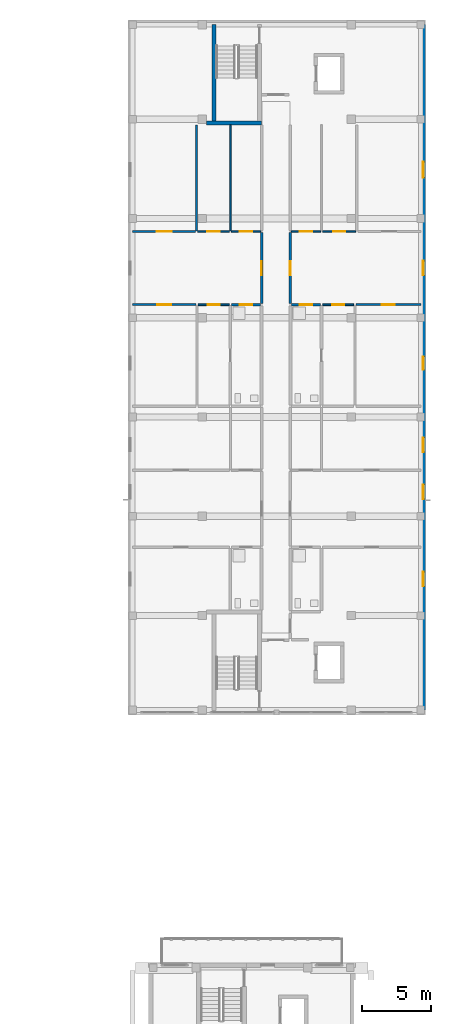
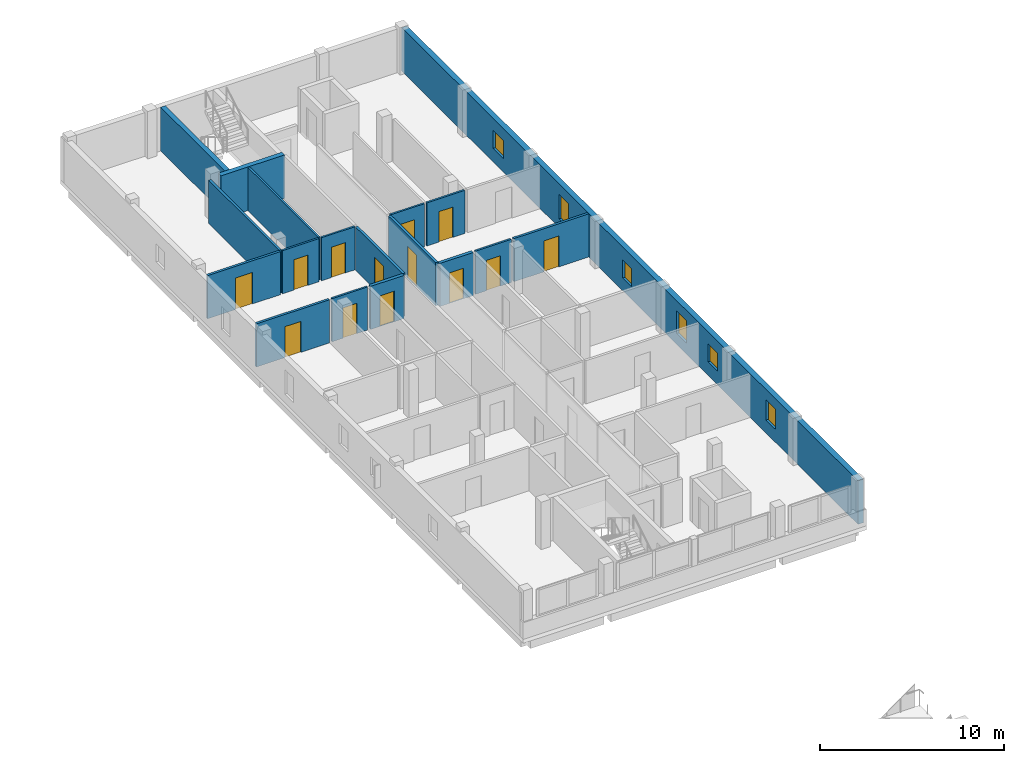
# One storey, part 23 of 38: 18 walls, 13 doors, 6 windows, 19 openings.
"""IFC4 building model written with IfcOpenShell, lengths in metres."""

from ifc_helpers import new_model, si_unit, derived_unit, direction, frame, frame_2d, origin, place, context, subcontext, project, spatial, rectangle, extrude, material, layer, layer_set, type_object, element, fill, save


model = new_model("IFC4")

# Units and contexts
model_context = context("Model", 3, precision=1e-05, world=origin(), true_north=direction((0.0, 1.0)))
body_context = subcontext(model_context, "Body", "Model", "MODEL_VIEW")
ifc_project = project(units=[si_unit("LENGTHUNIT", "METRE"), si_unit("AREAUNIT", "SQUARE_METRE"), si_unit("VOLUMEUNIT", "CUBIC_METRE"), si_unit("PLANEANGLEUNIT", "RADIAN"), si_unit("MASSUNIT", "GRAM", prefix="KILO"), derived_unit("THERMALTRANSMITTANCEUNIT", [(si_unit("MASSUNIT", "GRAM", prefix="KILO"), 1), (si_unit("TIMEUNIT", "SECOND"), -3), (si_unit("THERMODYNAMICTEMPERATUREUNIT", "KELVIN"), -1)])], contexts=[model_context])

# Site, building, storey
site_placement = place(None, origin())
site = spatial("IfcSite", under=ifc_project, at=site_placement, CompositionType="ELEMENT")
building_placement = place(site_placement, origin())
building = spatial("IfcBuilding", under=site, at=building_placement, Name="Ochrekiln Boulevard Commons", CompositionType="ELEMENT")
storey_placement = place(building_placement, frame((0.0, 0.0, 24.675048828125)))
storey = spatial("IfcBuildingStorey", under=building, at=storey_placement, Name="L07", CompositionType="ELEMENT", Elevation=24.675048828125)

# Wall, openings, windows
ifc_material_1 = material(Name="Iron-spot brown clinker brick masonry ASTM C216 Grade SW", Category="masonry")
ifc_layer_1 = layer(ifc_material_1, 0.340087890625)
ifc_layer_set_1 = layer_set([ifc_layer_1], Name="Iron-spot brown clinker brick masonry ASTM C216 Grade SW")
wall_type_1 = type_object("IfcWallType", Name="WL-EXT-IRON-340", PredefinedType="SOLIDWALL", material=ifc_layer_set_1)
wall_1_placement = place(storey_placement, frame((172.6298828125, 68.739990234375, 0.0), z_axis=(0.0, 0.0, 1.0), x_axis=(0.0, 1.0, 0.0)))
wall_1 = element("IfcWall", 1, at=wall_1_placement, inside=storey, type_object=wall_type_1, Name="Block B L07 E Exterior Wall", PredefinedType="SOLIDWALL", context=body_context, shape_type="SweptSolid", body=[
    extrude(rectangle(XDim=49.719970703125, YDim=0.340087890625, at=frame_2d((24.85986328125, 0.0))), origin(), (0.0, 0.0, 1.0), 2.89990234375),
])
opening_1_placement = place(wall_1_placement, frame((15.299072265625, 0.0, 0.89990234375)))
opening_1 = element("IfcOpeningElement", 2, at=opening_1_placement, cuts=wall_1, Name="Opening W-06", PredefinedType="OPENING", context=body_context, shape_type="SweptSolid", body=[
    extrude(rectangle(XDim=1.050048828125, YDim=1.199951171875, at=frame_2d((0.52490234375, 0.60009765625))), frame((0.0, 0.179931640625, 0.0), z_axis=(0.0, -1.0, 0.0), x_axis=(1.0, 0.0, 0.0)), (0.0, 0.0, 1.0), 0.360107421875),
])
opening_2_placement = place(wall_1_placement, frame((8.971923828125, 0.0, 0.864990234375)))
opening_2 = element("IfcOpeningElement", 3, at=opening_2_placement, cuts=wall_1, Name="Opening W-07", PredefinedType="OPENING", context=body_context, shape_type="SweptSolid", body=[
    extrude(rectangle(XDim=1.050048828125, YDim=1.35009765625, at=frame_2d((0.52490234375, 0.675048828125))), frame((0.0, 0.179931640625, 0.0), z_axis=(0.0, -1.0, 0.0), x_axis=(1.0, 0.0, 0.0)), (0.0, 0.0, 1.0), 0.360107421875),
])
opening_3_placement = place(wall_1_placement, frame((18.7099609375, 0.0, 0.715087890625)))
opening_3 = element("IfcOpeningElement", 4, at=opening_3_placement, cuts=wall_1, Name="Opening W-08", PredefinedType="OPENING", context=body_context, shape_type="SweptSolid", body=[
    extrude(rectangle(XDim=1.050048828125, YDim=1.5, at=frame_2d((0.52490234375, 0.75))), frame((0.0, 0.179931640625, 0.0), z_axis=(0.0, -1.0, 0.0), x_axis=(1.0, 0.0, 0.0)), (0.0, 0.0, 1.0), 0.360107421875),
])
opening_4_placement = place(wall_1_placement, frame((31.534912109375, 0.0, 0.56494140625)))
opening_4 = element("IfcOpeningElement", 5, at=opening_4_placement, cuts=wall_1, Name="Opening W-09", PredefinedType="OPENING", context=body_context, shape_type="SweptSolid", body=[
    extrude(rectangle(XDim=1.050048828125, YDim=1.64990234375, at=frame_2d((0.52490234375, 0.824951171875))), frame((0.0, 0.179931640625, 0.0), z_axis=(0.0, -1.0, 0.0), x_axis=(1.0, 0.0, 0.0)), (0.0, 0.0, 1.0), 0.360107421875),
])
opening_5_placement = place(wall_1_placement, frame((24.68701171875, 0.0, 0.85009765625)))
opening_5 = element("IfcOpeningElement", 6, at=opening_5_placement, cuts=wall_1, Name="Opening W-01", PredefinedType="OPENING", context=body_context, shape_type="SweptSolid", body=[
    extrude(rectangle(XDim=0.949951171875, YDim=1.199951171875, at=frame_2d((0.47509765625, 0.60009765625))), frame((0.0, 0.179931640625, 0.0), z_axis=(0.0, -1.0, 0.0), x_axis=(1.0, 0.0, 0.0)), (0.0, 0.0, 1.0), 0.360107421875),
])
opening_6_placement = place(wall_1_placement, frame((38.6201171875, 0.0, 0.89990234375)))
opening_6 = element("IfcOpeningElement", 7, at=opening_6_placement, cuts=wall_1, Name="Opening W-11", PredefinedType="OPENING", context=body_context, shape_type="SweptSolid", body=[
    extrude(rectangle(XDim=1.14990234375, YDim=1.199951171875, at=frame_2d((0.574951171875, 0.60009765625))), frame((0.0, 0.179931640625, 0.0), z_axis=(0.0, -1.0, 0.0), x_axis=(1.0, 0.0, 0.0)), (0.0, 0.0, 1.0), 0.360107421875),
])
ifc_material_2 = material(Name="Thermally broken aluminium-clad oak frame", Category="aluminium")
window_type_1 = type_object("IfcWindowType", Name="WIN-EXT-01", PartitioningType="SINGLE_PANEL", PredefinedType="WINDOW", material=ifc_material_2)
window_1_placement = place(opening_5_placement, origin())
window_1 = element("IfcWindow", 8, at=window_1_placement, inside=storey, type_object=window_type_1, Name="Block B L07 Punched Masonry Window W-01", OverallHeight=1.199951171875, OverallWidth=0.949951171875, PartitioningType="SINGLE_PANEL", PredefinedType="WINDOW", context=body_context, shape_type="SweptSolid", body=[
    extrude(rectangle(XDim=0.949951171875, YDim=1.199951171875, at=frame_2d((0.47509765625, 0.60009765625))), frame((0.0, 0.030029296875, 0.0), z_axis=(0.0, -1.0, 0.0), x_axis=(1.0, 0.0, 0.0)), (0.0, 0.0, 1.0), 0.06005859375),
])
fill(opening_5, window_1)
window_type_2 = type_object("IfcWindowType", Name="WIN-EXT-06", PartitioningType="SINGLE_PANEL", PredefinedType="WINDOW", material=ifc_material_2)
window_2_placement = place(opening_1_placement, origin())
window_2 = element("IfcWindow", 9, at=window_2_placement, inside=storey, type_object=window_type_2, Name="Block B L07 Punched Masonry Window W-06", OverallHeight=1.199951171875, OverallWidth=1.050048828125, PartitioningType="SINGLE_PANEL", PredefinedType="WINDOW", context=body_context, shape_type="SweptSolid", body=[
    extrude(rectangle(XDim=1.050048828125, YDim=1.199951171875, at=frame_2d((0.52490234375, 0.60009765625))), frame((0.0, 0.030029296875, 0.0), z_axis=(0.0, -1.0, 0.0), x_axis=(1.0, 0.0, 0.0)), (0.0, 0.0, 1.0), 0.06005859375),
])
fill(opening_1, window_2)
window_type_3 = type_object("IfcWindowType", Name="WIN-EXT-07", PartitioningType="SINGLE_PANEL", PredefinedType="WINDOW", material=ifc_material_2)
window_3_placement = place(opening_2_placement, origin())
window_3 = element("IfcWindow", 10, at=window_3_placement, inside=storey, type_object=window_type_3, Name="Block B L07 Punched Masonry Window W-07", OverallHeight=1.35009765625, OverallWidth=1.050048828125, PartitioningType="SINGLE_PANEL", PredefinedType="WINDOW", context=body_context, shape_type="SweptSolid", body=[
    extrude(rectangle(XDim=1.050048828125, YDim=1.35009765625, at=frame_2d((0.52490234375, 0.675048828125))), frame((0.0, 0.030029296875, 0.0), z_axis=(0.0, -1.0, 0.0), x_axis=(1.0, 0.0, 0.0)), (0.0, 0.0, 1.0), 0.06005859375),
])
fill(opening_2, window_3)
window_type_4 = type_object("IfcWindowType", Name="WIN-EXT-08", PartitioningType="SINGLE_PANEL", PredefinedType="WINDOW", material=ifc_material_2)
window_4_placement = place(opening_3_placement, origin())
window_4 = element("IfcWindow", 11, at=window_4_placement, inside=storey, type_object=window_type_4, Name="Block B L07 Punched Masonry Window W-08", OverallHeight=1.5, OverallWidth=1.050048828125, PartitioningType="SINGLE_PANEL", PredefinedType="WINDOW", context=body_context, shape_type="SweptSolid", body=[
    extrude(rectangle(XDim=1.050048828125, YDim=1.5, at=frame_2d((0.52490234375, 0.75))), frame((0.0, 0.030029296875, 0.0), z_axis=(0.0, -1.0, 0.0), x_axis=(1.0, 0.0, 0.0)), (0.0, 0.0, 1.0), 0.06005859375),
])
fill(opening_3, window_4)
window_type_5 = type_object("IfcWindowType", Name="WIN-EXT-09", PartitioningType="SINGLE_PANEL", PredefinedType="WINDOW", material=ifc_material_2)
window_5_placement = place(opening_4_placement, origin())
window_5 = element("IfcWindow", 12, at=window_5_placement, inside=storey, type_object=window_type_5, Name="Block B L07 Punched Masonry Window W-09", OverallHeight=1.64990234375, OverallWidth=1.050048828125, PartitioningType="SINGLE_PANEL", PredefinedType="WINDOW", context=body_context, shape_type="SweptSolid", body=[
    extrude(rectangle(XDim=1.050048828125, YDim=1.64990234375, at=frame_2d((0.52490234375, 0.824951171875))), frame((0.0, 0.030029296875, 0.0), z_axis=(0.0, -1.0, 0.0), x_axis=(1.0, 0.0, 0.0)), (0.0, 0.0, 1.0), 0.06005859375),
])
fill(opening_4, window_5)
window_type_6 = type_object("IfcWindowType", Name="WIN-EXT-11", PartitioningType="SINGLE_PANEL", PredefinedType="WINDOW", material=ifc_material_2)
window_6_placement = place(opening_6_placement, origin())
window_6 = element("IfcWindow", 13, at=window_6_placement, inside=storey, type_object=window_type_6, Name="Block B L07 Punched Masonry Window W-11", OverallHeight=1.199951171875, OverallWidth=1.14990234375, PartitioningType="SINGLE_PANEL", PredefinedType="WINDOW", context=body_context, shape_type="SweptSolid", body=[
    extrude(rectangle(XDim=1.14990234375, YDim=1.199951171875, at=frame_2d((0.574951171875, 0.60009765625))), frame((0.0, 0.030029296875, 0.0), z_axis=(0.0, -1.0, 0.0), x_axis=(1.0, 0.0, 0.0)), (0.0, 0.0, 1.0), 0.06005859375),
])
fill(opening_6, window_6)

# Wall, opening, door
ifc_material_3 = material(Name="Moisture-resistant cementitious tile backer wall")
ifc_layer_2 = layer(ifc_material_3, 0.199951171875)
ifc_layer_set_2 = layer_set([ifc_layer_2], Name="Moisture-resistant cementitious tile backer wall")
wall_type_2 = type_object("IfcWallType", Name="WL-PLM-200", PredefinedType="PLUMBINGWALL", material=ifc_layer_set_2)
wall_2_placement = place(storey_placement, frame((158.719970703125, 98.14990234375, 0.0), z_axis=(0.0, 0.0, 1.0), x_axis=(1.0, 0.0, 0.0)))
wall_2 = element("IfcWall", 14, at=wall_2_placement, inside=storey, type_object=wall_type_2, Name="L07 Interior Wall W-PW200", PredefinedType="PLUMBINGWALL", context=body_context, shape_type="SweptSolid", body=[
    extrude(rectangle(XDim=2.10693359375, YDim=0.199951171875, at=frame_2d((1.053466796875, 0.0))), origin(), (0.0, 0.0, 1.0), 2.869873046875),
])
opening_7_placement = place(wall_2_placement, frame((0.60498046875, 0.0, 0.0)))
opening_7 = element("IfcOpeningElement", 15, at=opening_7_placement, cuts=wall_2, Name="Opening D-L07-936", PredefinedType="OPENING", context=body_context, shape_type="SweptSolid", body=[
    extrude(rectangle(XDim=0.889892578125, YDim=2.030029296875, at=frame_2d((0.44482421875, 1.01513671875))), frame((0.0, 0.10986328125, 0.0), z_axis=(0.0, -1.0, 0.0), x_axis=(1.0, 0.0, 0.0)), (0.0, 0.0, 1.0), 0.219970703125),
])
ifc_material_4 = material(Name="Solid core architectural oak door leaf")
door_type_1 = type_object("IfcDoorType", Name="DR-INT-BTH-089", OperationType="NOTDEFINED", PredefinedType="DOOR", material=ifc_material_4)
door_1_placement = place(opening_7_placement, frame((0.889892578125, 0.0, 0.0), z_axis=(0.0, 0.0, 1.0), x_axis=(-1.0, 0.0, 0.0)))
door_1 = element("IfcDoor", 16, at=door_1_placement, inside=storey, type_object=door_type_1, Name="L07 Interior Door to Apartment Bathroom", OperationType="SINGLE_SWING_RIGHT", OverallHeight=2.030029296875, OverallWidth=0.889892578125, PredefinedType="DOOR", context=body_context, shape_type="SweptSolid", body=[
    extrude(rectangle(XDim=0.889892578125, YDim=2.030029296875, at=frame_2d((0.44482421875, 1.01513671875))), frame((0.0, 0.02490234375, 0.0), z_axis=(0.0, -1.0, 0.0), x_axis=(1.0, 0.0, 0.0)), (0.0, 0.0, 1.0), 0.050048828125),
])
fill(opening_7, door_1)

wall_3_placement = place(storey_placement, frame((163.072998046875, 98.14990234375, 0.0), z_axis=(0.0, 0.0, 1.0), x_axis=(1.0, 0.0, 0.0)))
wall_3 = element("IfcWall", 17, at=wall_3_placement, inside=storey, type_object=wall_type_2, Name="L07 Interior Wall W-PW200", PredefinedType="PLUMBINGWALL", context=body_context, shape_type="SweptSolid", body=[
    extrude(rectangle(XDim=2.10693359375, YDim=0.199951171875, at=frame_2d((1.053466796875, 0.0))), origin(), (0.0, 0.0, 1.0), 2.869873046875),
])
opening_8_placement = place(wall_3_placement, frame((0.612060546875, 0.0, 0.0)))
opening_8 = element("IfcOpeningElement", 18, at=opening_8_placement, cuts=wall_3, Name="Opening D-L07-947", PredefinedType="OPENING", context=body_context, shape_type="SweptSolid", body=[
    extrude(rectangle(XDim=0.889892578125, YDim=2.030029296875, at=frame_2d((0.44482421875, 1.01513671875))), frame((0.0, 0.10986328125, 0.0), z_axis=(0.0, -1.0, 0.0), x_axis=(1.0, 0.0, 0.0)), (0.0, 0.0, 1.0), 0.219970703125),
])
door_2_placement = place(opening_8_placement, frame((0.889892578125, 0.0, 0.0), z_axis=(0.0, 0.0, 1.0), x_axis=(-1.0, 0.0, 0.0)))
door_2 = element("IfcDoor", 19, at=door_2_placement, inside=storey, type_object=door_type_1, Name="L07 Interior Door to Apartment Bathroom", OperationType="SINGLE_SWING_LEFT", OverallHeight=2.030029296875, OverallWidth=0.889892578125, PredefinedType="DOOR", context=body_context, shape_type="SweptSolid", body=[
    extrude(rectangle(XDim=0.889892578125, YDim=2.030029296875, at=frame_2d((0.44482421875, 1.01513671875))), frame((0.0, 0.02490234375, 0.0), z_axis=(0.0, -1.0, 0.0), x_axis=(1.0, 0.0, 0.0)), (0.0, 0.0, 1.0), 0.050048828125),
])
fill(opening_8, door_2)

ifc_material_5 = material(Name="Fire-rated Type X gypsum board on steel studs", Category="steel")
ifc_layer_3 = layer(ifc_material_5, 0.1650390625)
ifc_layer_set_3 = layer_set([ifc_layer_3], Name="Fire-rated Type X gypsum board on steel studs")
wall_type_3 = type_object("IfcWallType", Name="WL-PT-CORR-165", PredefinedType="PARTITIONING", material=ifc_layer_set_3)
wall_4_placement = place(storey_placement, frame((160.909912109375, 98.22998046875, 0.0), z_axis=(0.0, 0.0, 1.0), x_axis=(0.0, 1.0, 0.0)))
wall_4 = element("IfcWall", 20, at=wall_4_placement, inside=storey, type_object=wall_type_3, Name="L07 Interior Wall W-PC165", PredefinedType="PARTITIONING", context=body_context, shape_type="SweptSolid", body=[
    extrude(rectangle(XDim=5.14013671875, YDim=0.1650390625, at=frame_2d((2.570068359375, 0.0))), origin(), (0.0, 0.0, 1.0), 2.869873046875),
])
opening_9_placement = place(wall_4_placement, frame((2.06494140625, 0.0, 0.0)))
opening_9 = element("IfcOpeningElement", 21, at=opening_9_placement, cuts=wall_4, Name="Opening D-L07-929", PredefinedType="OPENING", context=body_context, shape_type="SweptSolid", body=[
    extrude(rectangle(XDim=1.010009765625, YDim=2.110107421875, at=frame_2d((0.5048828125, 1.05517578125))), frame((0.0, 0.092529296875, 0.0), z_axis=(0.0, -1.0, 0.0), x_axis=(1.0, 0.0, 0.0)), (0.0, 0.0, 1.0), 0.18505859375),
])
door_type_2 = type_object("IfcDoorType", Name="DR-INT-APT-101", OperationType="NOTDEFINED", PredefinedType="DOOR", material=ifc_material_4)
door_3_placement = place(opening_9_placement, origin())
door_3 = element("IfcDoor", 22, at=door_3_placement, inside=storey, type_object=door_type_2, Name="L07 Interior Door to Two-Bedroom Apartment Living Room", OperationType="SINGLE_SWING_LEFT", OverallHeight=2.110107421875, OverallWidth=1.010009765625, PredefinedType="DOOR", context=body_context, shape_type="SweptSolid", body=[
    extrude(rectangle(XDim=1.010009765625, YDim=2.110107421875, at=frame_2d((0.5048828125, 1.05517578125))), frame((0.0, 0.02490234375, 0.0), z_axis=(0.0, -1.0, 0.0), x_axis=(1.0, 0.0, 0.0)), (0.0, 0.0, 1.0), 0.050048828125),
])
fill(opening_9, door_3)

wall_5_placement = place(storey_placement, frame((162.989990234375, 98.22998046875, 0.0), z_axis=(0.0, 0.0, 1.0), x_axis=(0.0, 1.0, 0.0)))
wall_5 = element("IfcWall", 23, at=wall_5_placement, inside=storey, type_object=wall_type_3, Name="L07 Interior Wall W-PC165", PredefinedType="PARTITIONING", context=body_context, shape_type="SweptSolid", body=[
    extrude(rectangle(XDim=5.14013671875, YDim=0.1650390625, at=frame_2d((2.570068359375, 0.0))), origin(), (0.0, 0.0, 1.0), 2.869873046875),
])
opening_10_placement = place(wall_5_placement, frame((2.06494140625, 0.0, 0.0)))
opening_10 = element("IfcOpeningElement", 24, at=opening_10_placement, cuts=wall_5, Name="Opening D-L07-931", PredefinedType="OPENING", context=body_context, shape_type="SweptSolid", body=[
    extrude(rectangle(XDim=1.010009765625, YDim=2.110107421875, at=frame_2d((0.5048828125, 1.05517578125))), frame((0.0, 0.092529296875, 0.0), z_axis=(0.0, -1.0, 0.0), x_axis=(1.0, 0.0, 0.0)), (0.0, 0.0, 1.0), 0.18505859375),
])
door_4_placement = place(opening_10_placement, frame((1.010009765625, 0.0, 0.0), z_axis=(0.0, 0.0, 1.0), x_axis=(-1.0, 0.0, 0.0)))
door_4 = element("IfcDoor", 25, at=door_4_placement, inside=storey, type_object=door_type_2, Name="L07 Interior Door to Two-Bedroom Apartment Living Room", OperationType="SINGLE_SWING_LEFT", OverallHeight=2.110107421875, OverallWidth=1.010009765625, PredefinedType="DOOR", context=body_context, shape_type="SweptSolid", body=[
    extrude(rectangle(XDim=1.010009765625, YDim=2.110107421875, at=frame_2d((0.5048828125, 1.05517578125))), frame((0.0, 0.02490234375, 0.0), z_axis=(0.0, -1.0, 0.0), x_axis=(1.0, 0.0, 0.0)), (0.0, 0.0, 1.0), 0.050048828125),
])
fill(opening_10, door_4)

ifc_layer_4 = layer(ifc_material_5, 0.1201171875)
ifc_layer_set_4 = layer_set([ifc_layer_4], Name="Fire-rated Type X gypsum board on steel studs")
wall_type_4 = type_object("IfcWallType", Name="WL-PT-LGT-120", PredefinedType="PARTITIONING", material=ifc_layer_set_4)
wall_6_placement = place(storey_placement, frame((158.719970703125, 103.449951171875, 0.0), z_axis=(0.0, 0.0, 1.0), x_axis=(1.0, 0.0, 0.0)))
wall_6 = element("IfcWall", 26, at=wall_6_placement, inside=storey, type_object=wall_type_4, Name="L07 Interior Wall W-PL120", PredefinedType="PARTITIONING", context=body_context, shape_type="SweptSolid", body=[
    extrude(rectangle(XDim=2.10693359375, YDim=0.1201171875, at=frame_2d((1.053466796875, 0.0))), origin(), (0.0, 0.0, 1.0), 2.869873046875),
])
opening_11_placement = place(wall_6_placement, frame((0.610107421875, 0.0, 0.0)))
opening_11 = element("IfcOpeningElement", 27, at=opening_11_placement, cuts=wall_6, Name="Opening D-L07-937", PredefinedType="OPENING", context=body_context, shape_type="SweptSolid", body=[
    extrude(rectangle(XDim=0.8798828125, YDim=2.02001953125, at=frame_2d((0.43994140625, 1.010009765625))), frame((0.0, 0.070068359375, 0.0), z_axis=(0.0, -1.0, 0.0), x_axis=(1.0, 0.0, 0.0)), (0.0, 0.0, 1.0), 0.14013671875),
])
door_type_3 = type_object("IfcDoorType", Name="DR-INT-KIT-088", OperationType="NOTDEFINED", PredefinedType="DOOR", material=ifc_material_4)
door_5_placement = place(opening_11_placement, origin())
door_5 = element("IfcDoor", 28, at=door_5_placement, inside=storey, type_object=door_type_3, Name="L07 Interior Door to Apartment Kitchen", OperationType="SINGLE_SWING_LEFT", OverallHeight=2.02001953125, OverallWidth=0.8798828125, PredefinedType="DOOR", context=body_context, shape_type="SweptSolid", body=[
    extrude(rectangle(XDim=0.8798828125, YDim=2.02001953125, at=frame_2d((0.43994140625, 1.010009765625))), frame((0.0, 0.02490234375, 0.0), z_axis=(0.0, -1.0, 0.0), x_axis=(1.0, 0.0, 0.0)), (0.0, 0.0, 1.0), 0.050048828125),
])
fill(opening_11, door_5)

wall_7_placement = place(storey_placement, frame((156.31005859375, 98.14990234375, 0.0), z_axis=(0.0, 0.0, 1.0), x_axis=(1.0, 0.0, 0.0)))
wall_7 = element("IfcWall", 29, at=wall_7_placement, inside=storey, type_object=wall_type_4, Name="L07 Interior Wall W-PL120", PredefinedType="PARTITIONING", context=body_context, shape_type="SweptSolid", body=[
    extrude(rectangle(XDim=2.25, YDim=0.1201171875, at=frame_2d((1.125, 0.0))), origin(), (0.0, 0.0, 1.0), 2.869873046875),
])
opening_12_placement = place(wall_7_placement, frame((0.68505859375, 0.0, 0.0)))
opening_12 = element("IfcOpeningElement", 30, at=opening_12_placement, cuts=wall_7, Name="Opening D-L07-939", PredefinedType="OPENING", context=body_context, shape_type="SweptSolid", body=[
    extrude(rectangle(XDim=0.8798828125, YDim=2.02001953125, at=frame_2d((0.43994140625, 1.010009765625))), frame((0.0, 0.070068359375, 0.0), z_axis=(0.0, -1.0, 0.0), x_axis=(1.0, 0.0, 0.0)), (0.0, 0.0, 1.0), 0.14013671875),
])
door_6_placement = place(opening_12_placement, frame((0.8798828125, 0.0, 0.0), z_axis=(0.0, 0.0, 1.0), x_axis=(-1.0, 0.0, 0.0)))
door_6 = element("IfcDoor", 31, at=door_6_placement, inside=storey, type_object=door_type_3, Name="L07 Interior Door to Apartment Walk-In Wardrobe", OperationType="SINGLE_SWING_LEFT", OverallHeight=2.02001953125, OverallWidth=0.8798828125, PredefinedType="DOOR", context=body_context, shape_type="SweptSolid", body=[
    extrude(rectangle(XDim=0.8798828125, YDim=2.02001953125, at=frame_2d((0.43994140625, 1.010009765625))), frame((0.0, 0.02490234375, 0.0), z_axis=(0.0, -1.0, 0.0), x_axis=(1.0, 0.0, 0.0)), (0.0, 0.0, 1.0), 0.050048828125),
])
fill(opening_12, door_6)

wall_8_placement = place(storey_placement, frame((156.27294921875, 103.449951171875, 0.0), z_axis=(0.0, 0.0, 1.0), x_axis=(1.0, 0.0, 0.0)))
wall_8 = element("IfcWall", 32, at=wall_8_placement, inside=storey, type_object=wall_type_4, Name="L07 Interior Wall W-PL120", PredefinedType="PARTITIONING", context=body_context, shape_type="SweptSolid", body=[
    extrude(rectangle(XDim=2.287109375, YDim=0.1201171875, at=frame_2d((1.1435546875, 0.0))), origin(), (0.0, 0.0, 1.0), 2.869873046875),
])
opening_13_placement = place(wall_8_placement, frame((0.702880859375, 0.0, 0.0)))
opening_13 = element("IfcOpeningElement", 33, at=opening_13_placement, cuts=wall_8, Name="Opening D-L07-941", PredefinedType="OPENING", context=body_context, shape_type="SweptSolid", body=[
    extrude(rectangle(XDim=0.8798828125, YDim=2.02001953125, at=frame_2d((0.43994140625, 1.010009765625))), frame((0.0, 0.070068359375, 0.0), z_axis=(0.0, -1.0, 0.0), x_axis=(1.0, 0.0, 0.0)), (0.0, 0.0, 1.0), 0.14013671875),
])
door_7_placement = place(opening_13_placement, origin())
door_7 = element("IfcDoor", 34, at=door_7_placement, inside=storey, type_object=door_type_3, Name="L07 Interior Door to Apartment Walk-In Wardrobe", OperationType="SINGLE_SWING_LEFT", OverallHeight=2.02001953125, OverallWidth=0.8798828125, PredefinedType="DOOR", context=body_context, shape_type="SweptSolid", body=[
    extrude(rectangle(XDim=0.8798828125, YDim=2.02001953125, at=frame_2d((0.43994140625, 1.010009765625))), frame((0.0, 0.02490234375, 0.0), z_axis=(0.0, -1.0, 0.0), x_axis=(1.0, 0.0, 0.0)), (0.0, 0.0, 1.0), 0.050048828125),
])
fill(opening_13, door_7)

# Wall
wall_9_placement = place(storey_placement, frame((158.639892578125, 103.510009765625, 0.0), z_axis=(0.0, 0.0, 1.0), x_axis=(0.0, 1.0, 0.0)))
element("IfcWall", 35, at=wall_9_placement, inside=storey, type_object=wall_type_4, Name="L07 Interior Wall W-PL120", PredefinedType="PARTITIONING", context=body_context, shape_type="SweptSolid", body=[
    extrude(rectangle(XDim=7.68994140625, YDim=0.1201171875, at=frame_2d((3.844970703125, 0.0))), origin(), (0.0, 0.0, 1.0), 2.869873046875),
])

# Wall, opening, door
wall_10_placement = place(storey_placement, frame((163.072998046875, 103.449951171875, 0.0), z_axis=(0.0, 0.0, 1.0), x_axis=(1.0, 0.0, 0.0)))
wall_10 = element("IfcWall", 36, at=wall_10_placement, inside=storey, type_object=wall_type_4, Name="L07 Interior Wall W-PL120", PredefinedType="PARTITIONING", context=body_context, shape_type="SweptSolid", body=[
    extrude(rectangle(XDim=2.10693359375, YDim=0.1201171875, at=frame_2d((1.053466796875, 0.0))), origin(), (0.0, 0.0, 1.0), 2.869873046875),
])
opening_14_placement = place(wall_10_placement, frame((0.616943359375, 0.0, 0.0)))
opening_14 = element("IfcOpeningElement", 37, at=opening_14_placement, cuts=wall_10, Name="Opening D-L07-948", PredefinedType="OPENING", context=body_context, shape_type="SweptSolid", body=[
    extrude(rectangle(XDim=0.8798828125, YDim=2.02001953125, at=frame_2d((0.43994140625, 1.010009765625))), frame((0.0, 0.070068359375, 0.0), z_axis=(0.0, -1.0, 0.0), x_axis=(1.0, 0.0, 0.0)), (0.0, 0.0, 1.0), 0.14013671875),
])
door_8_placement = place(opening_14_placement, origin())
door_8 = element("IfcDoor", 38, at=door_8_placement, inside=storey, type_object=door_type_3, Name="L07 Interior Door to Apartment Kitchen", OperationType="SINGLE_SWING_RIGHT", OverallHeight=2.02001953125, OverallWidth=0.8798828125, PredefinedType="DOOR", context=body_context, shape_type="SweptSolid", body=[
    extrude(rectangle(XDim=0.8798828125, YDim=2.02001953125, at=frame_2d((0.43994140625, 1.010009765625))), frame((0.0, 0.02490234375, 0.0), z_axis=(0.0, -1.0, 0.0), x_axis=(1.0, 0.0, 0.0)), (0.0, 0.0, 1.0), 0.050048828125),
])
fill(opening_14, door_8)

wall_11_placement = place(storey_placement, frame((165.340087890625, 98.14990234375, 0.0), z_axis=(0.0, 0.0, 1.0), x_axis=(1.0, 0.0, 0.0)))
wall_11 = element("IfcWall", 39, at=wall_11_placement, inside=storey, type_object=wall_type_4, Name="L07 Interior Wall W-PL120", PredefinedType="PARTITIONING", context=body_context, shape_type="SweptSolid", body=[
    extrude(rectangle(XDim=2.25, YDim=0.1201171875, at=frame_2d((1.125, 0.0))), origin(), (0.0, 0.0, 1.0), 2.869873046875),
])
opening_15_placement = place(wall_11_placement, frame((0.68505859375, 0.0, 0.0)))
opening_15 = element("IfcOpeningElement", 40, at=opening_15_placement, cuts=wall_11, Name="Opening D-L07-950", PredefinedType="OPENING", context=body_context, shape_type="SweptSolid", body=[
    extrude(rectangle(XDim=0.8798828125, YDim=2.02001953125, at=frame_2d((0.43994140625, 1.010009765625))), frame((0.0, 0.070068359375, 0.0), z_axis=(0.0, -1.0, 0.0), x_axis=(1.0, 0.0, 0.0)), (0.0, 0.0, 1.0), 0.14013671875),
])
door_9_placement = place(opening_15_placement, frame((0.8798828125, 0.0, 0.0), z_axis=(0.0, 0.0, 1.0), x_axis=(-1.0, 0.0, 0.0)))
door_9 = element("IfcDoor", 41, at=door_9_placement, inside=storey, type_object=door_type_3, Name="L07 Interior Door to Apartment Walk-In Wardrobe", OperationType="SINGLE_SWING_RIGHT", OverallHeight=2.02001953125, OverallWidth=0.8798828125, PredefinedType="DOOR", context=body_context, shape_type="SweptSolid", body=[
    extrude(rectangle(XDim=0.8798828125, YDim=2.02001953125, at=frame_2d((0.43994140625, 1.010009765625))), frame((0.0, 0.02490234375, 0.0), z_axis=(0.0, -1.0, 0.0), x_axis=(1.0, 0.0, 0.0)), (0.0, 0.0, 1.0), 0.050048828125),
])
fill(opening_15, door_9)

wall_12_placement = place(storey_placement, frame((165.340087890625, 103.449951171875, 0.0), z_axis=(0.0, 0.0, 1.0), x_axis=(1.0, 0.0, 0.0)))
wall_12 = element("IfcWall", 42, at=wall_12_placement, inside=storey, type_object=wall_type_4, Name="L07 Interior Wall W-PL120", PredefinedType="PARTITIONING", context=body_context, shape_type="SweptSolid", body=[
    extrude(rectangle(XDim=2.386962890625, YDim=0.1201171875, at=frame_2d((1.193359375, 0.0))), origin(), (0.0, 0.0, 1.0), 2.869873046875),
])
opening_16_placement = place(wall_12_placement, frame((0.75390625, 0.0, 0.0)))
opening_16 = element("IfcOpeningElement", 43, at=opening_16_placement, cuts=wall_12, Name="Opening D-L07-952", PredefinedType="OPENING", context=body_context, shape_type="SweptSolid", body=[
    extrude(rectangle(XDim=0.8798828125, YDim=2.02001953125, at=frame_2d((0.43994140625, 1.010009765625))), frame((0.0, 0.070068359375, 0.0), z_axis=(0.0, -1.0, 0.0), x_axis=(1.0, 0.0, 0.0)), (0.0, 0.0, 1.0), 0.14013671875),
])
door_10_placement = place(opening_16_placement, origin())
door_10 = element("IfcDoor", 44, at=door_10_placement, inside=storey, type_object=door_type_3, Name="L07 Interior Door to Apartment Walk-In Wardrobe", OperationType="SINGLE_SWING_RIGHT", OverallHeight=2.02001953125, OverallWidth=0.8798828125, PredefinedType="DOOR", context=body_context, shape_type="SweptSolid", body=[
    extrude(rectangle(XDim=0.8798828125, YDim=2.02001953125, at=frame_2d((0.43994140625, 1.010009765625))), frame((0.0, 0.02490234375, 0.0), z_axis=(0.0, -1.0, 0.0), x_axis=(1.0, 0.0, 0.0)), (0.0, 0.0, 1.0), 0.050048828125),
])
fill(opening_16, door_10)

ifc_layer_5 = layer(ifc_material_5, 0.14990234375)
ifc_layer_set_5 = layer_set([ifc_layer_5], Name="Fire-rated Type X gypsum board on steel studs")
wall_type_5 = type_object("IfcWallType", Name="WL-PT-STD-150", PredefinedType="PARTITIONING", material=ifc_layer_set_5)
wall_13_placement = place(storey_placement, frame((151.5400390625, 98.14990234375, 0.0), z_axis=(0.0, 0.0, 1.0), x_axis=(1.0, 0.0, 0.0)))
wall_13 = element("IfcWall", 45, at=wall_13_placement, inside=storey, type_object=wall_type_5, Name="L07 Interior Wall W-PS150", PredefinedType="PARTITIONING", context=body_context, shape_type="SweptSolid", body=[
    extrude(rectangle(XDim=4.60986328125, YDim=0.14990234375, at=frame_2d((2.304931640625, 0.0))), origin(), (0.0, 0.0, 1.0), 2.869873046875),
])
opening_17_placement = place(wall_13_placement, frame((1.81005859375, 0.0, 0.0)))
opening_17 = element("IfcOpeningElement", 46, at=opening_17_placement, cuts=wall_13, Name="Opening D-L07-938", PredefinedType="OPENING", context=body_context, shape_type="SweptSolid", body=[
    extrude(rectangle(XDim=1.0, YDim=2.06005859375, at=frame_2d((0.5, 1.030029296875))), frame((0.0, 0.0849609375, 0.0), z_axis=(0.0, -1.0, 0.0), x_axis=(1.0, 0.0, 0.0)), (0.0, 0.0, 1.0), 0.169921875),
])
door_type_4 = type_object("IfcDoorType", Name="DR-INT-BED-100", OperationType="NOTDEFINED", PredefinedType="DOOR", material=ifc_material_4)
door_11_placement = place(opening_17_placement, frame((1.0, 0.0, 0.0), z_axis=(0.0, 0.0, 1.0), x_axis=(-1.0, 0.0, 0.0)))
door_11 = element("IfcDoor", 47, at=door_11_placement, inside=storey, type_object=door_type_4, Name="L07 Interior Door to Primary Apartment Bedroom", OperationType="SINGLE_SWING_RIGHT", OverallHeight=2.06005859375, OverallWidth=1.0, PredefinedType="DOOR", context=body_context, shape_type="SweptSolid", body=[
    extrude(rectangle(XDim=1.0, YDim=2.06005859375, at=frame_2d((0.5, 1.030029296875))), frame((0.0, 0.02490234375, 0.0), z_axis=(0.0, -1.0, 0.0), x_axis=(1.0, 0.0, 0.0)), (0.0, 0.0, 1.0), 0.050048828125),
])
fill(opening_17, door_11)

wall_14_placement = place(storey_placement, frame((151.5400390625, 103.449951171875, 0.0), z_axis=(0.0, 0.0, 1.0), x_axis=(1.0, 0.0, 0.0)))
wall_14 = element("IfcWall", 48, at=wall_14_placement, inside=storey, type_object=wall_type_5, Name="L07 Interior Wall W-PS150", PredefinedType="PARTITIONING", context=body_context, shape_type="SweptSolid", body=[
    extrude(rectangle(XDim=4.572998046875, YDim=0.14990234375, at=frame_2d((2.28662109375, 0.0))), origin(), (0.0, 0.0, 1.0), 2.869873046875),
])
opening_18_placement = place(wall_14_placement, frame((1.751953125, 0.0, 0.0)))
opening_18 = element("IfcOpeningElement", 49, at=opening_18_placement, cuts=wall_14, Name="Opening D-L07-940", PredefinedType="OPENING", context=body_context, shape_type="SweptSolid", body=[
    extrude(rectangle(XDim=1.080078125, YDim=2.10009765625, at=frame_2d((0.5400390625, 1.050048828125))), frame((0.0, 0.0849609375, 0.0), z_axis=(0.0, -1.0, 0.0), x_axis=(1.0, 0.0, 0.0)), (0.0, 0.0, 1.0), 0.169921875),
])
door_type_5 = type_object("IfcDoorType", Name="DR-INT-BED-108", OperationType="NOTDEFINED", PredefinedType="DOOR", material=ifc_material_4)
door_12_placement = place(opening_18_placement, origin())
door_12 = element("IfcDoor", 50, at=door_12_placement, inside=storey, type_object=door_type_5, Name="L07 Interior Door to Secondary Apartment Bedroom", OperationType="SINGLE_SWING_RIGHT", OverallHeight=2.10009765625, OverallWidth=1.080078125, PredefinedType="DOOR", context=body_context, shape_type="SweptSolid", body=[
    extrude(rectangle(XDim=1.080078125, YDim=2.10009765625, at=frame_2d((0.5400390625, 1.050048828125))), frame((0.0, 0.02490234375, 0.0), z_axis=(0.0, -1.0, 0.0), x_axis=(1.0, 0.0, 0.0)), (0.0, 0.0, 1.0), 0.050048828125),
])
fill(opening_18, door_12)

# Wall
wall_15_placement = place(storey_placement, frame((156.193115234375, 103.510009765625, 0.0), z_axis=(0.0, 0.0, 1.0), x_axis=(0.0, 1.0, 0.0)))
element("IfcWall", 51, at=wall_15_placement, inside=storey, type_object=wall_type_5, Name="L07 Interior Wall W-PS150", PredefinedType="PARTITIONING", context=body_context, shape_type="SweptSolid", body=[
    extrude(rectangle(XDim=7.68994140625, YDim=0.14990234375, at=frame_2d((3.844970703125, 0.0))), origin(), (0.0, 0.0, 1.0), 2.869873046875),
])

# Wall, opening, door
wall_16_placement = place(storey_placement, frame((167.75, 98.14990234375, 0.0), z_axis=(0.0, 0.0, 1.0), x_axis=(1.0, 0.0, 0.0)))
wall_16 = element("IfcWall", 52, at=wall_16_placement, inside=storey, type_object=wall_type_5, Name="L07 Interior Wall W-PS150", PredefinedType="PARTITIONING", context=body_context, shape_type="SweptSolid", body=[
    extrude(rectangle(XDim=4.7099609375, YDim=0.14990234375, at=frame_2d((2.35498046875, 0.0))), origin(), (0.0, 0.0, 1.0), 2.869873046875),
])
opening_19_placement = place(wall_16_placement, frame((1.8798828125, 0.0, 0.0)))
opening_19 = element("IfcOpeningElement", 53, at=opening_19_placement, cuts=wall_16, Name="Opening D-L07-949", PredefinedType="OPENING", context=body_context, shape_type="SweptSolid", body=[
    extrude(rectangle(XDim=0.93994140625, YDim=2.06005859375, at=frame_2d((0.469970703125, 1.030029296875))), frame((0.0, 0.0849609375, 0.0), z_axis=(0.0, -1.0, 0.0), x_axis=(1.0, 0.0, 0.0)), (0.0, 0.0, 1.0), 0.169921875),
])
door_type_6 = type_object("IfcDoorType", Name="DR-INT-BED-094", OperationType="NOTDEFINED", PredefinedType="DOOR", material=ifc_material_4)
door_13_placement = place(opening_19_placement, frame((0.93994140625, 0.0, 0.0), z_axis=(0.0, 0.0, 1.0), x_axis=(-1.0, 0.0, 0.0)))
door_13 = element("IfcDoor", 54, at=door_13_placement, inside=storey, type_object=door_type_6, Name="L07 Interior Door to Primary Apartment Bedroom", OperationType="SINGLE_SWING_LEFT", OverallHeight=2.06005859375, OverallWidth=0.93994140625, PredefinedType="DOOR", context=body_context, shape_type="SweptSolid", body=[
    extrude(rectangle(XDim=0.93994140625, YDim=2.06005859375, at=frame_2d((0.469970703125, 1.030029296875))), frame((0.0, 0.02490234375, 0.0), z_axis=(0.0, -1.0, 0.0), x_axis=(1.0, 0.0, 0.0)), (0.0, 0.0, 1.0), 0.050048828125),
])
fill(opening_19, door_13)

# Walls
ifc_material_6 = material(Name="Concrete C40/50", Category="concrete")
ifc_layer_6 = layer(ifc_material_6, 0.300048828125)
ifc_layer_set_6 = layer_set([ifc_layer_6], Name="Concrete C40/50")
wall_type_6 = type_object("IfcWallType", Name="WL-SH-300", PredefinedType="SHEAR", material=ifc_layer_set_6)
wall_17_placement = place(storey_placement, frame((156.89990234375, 111.330078125, 0.0), z_axis=(0.0, 0.0, 1.0), x_axis=(1.0, 0.0, 0.0)))
element("IfcWall", 55, at=wall_17_placement, inside=storey, type_object=wall_type_6, Name="Stair ST-B2 L07 Core Shear Wall S", PredefinedType="SHEAR", context=body_context, shape_type="SweptSolid", body=[
    extrude(rectangle(XDim=4.0, YDim=0.300048828125, at=frame_2d((2.0, 0.0))), origin(), (0.0, 0.0, 1.0), 2.89990234375),
])
wall_18_placement = place(storey_placement, frame((157.449951171875, 111.47998046875, 0.0), z_axis=(0.0, 0.0, 1.0), x_axis=(0.0, 1.0, 0.0)))
element("IfcWall", 56, at=wall_18_placement, inside=storey, type_object=wall_type_6, Name="Stair ST-B2 L07 Core Shear Wall W", PredefinedType="SHEAR", context=body_context, shape_type="SweptSolid", body=[
    extrude(rectangle(XDim=7.0, YDim=0.300048828125, at=frame_2d((3.5, 0.0))), origin(), (0.0, 0.0, 1.0), 2.89990234375),
])

save(model, "model.ifc")
